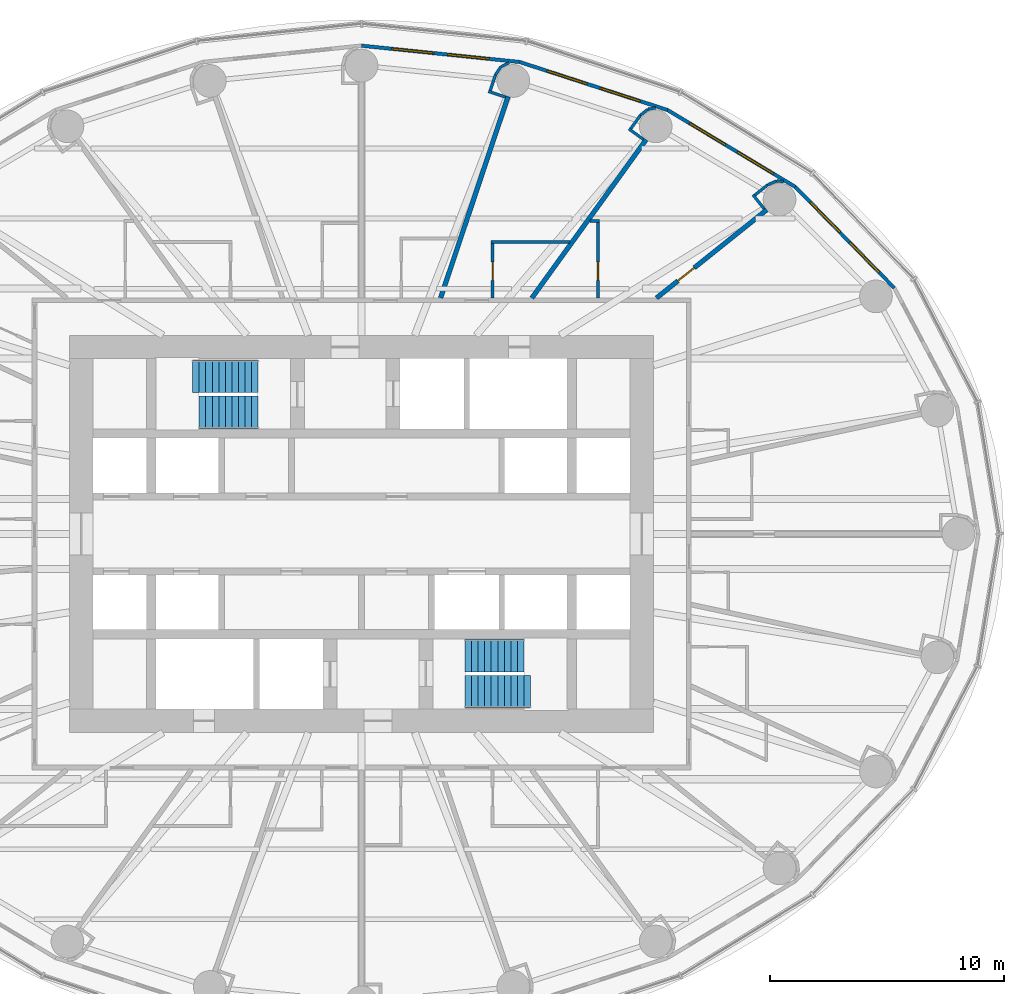
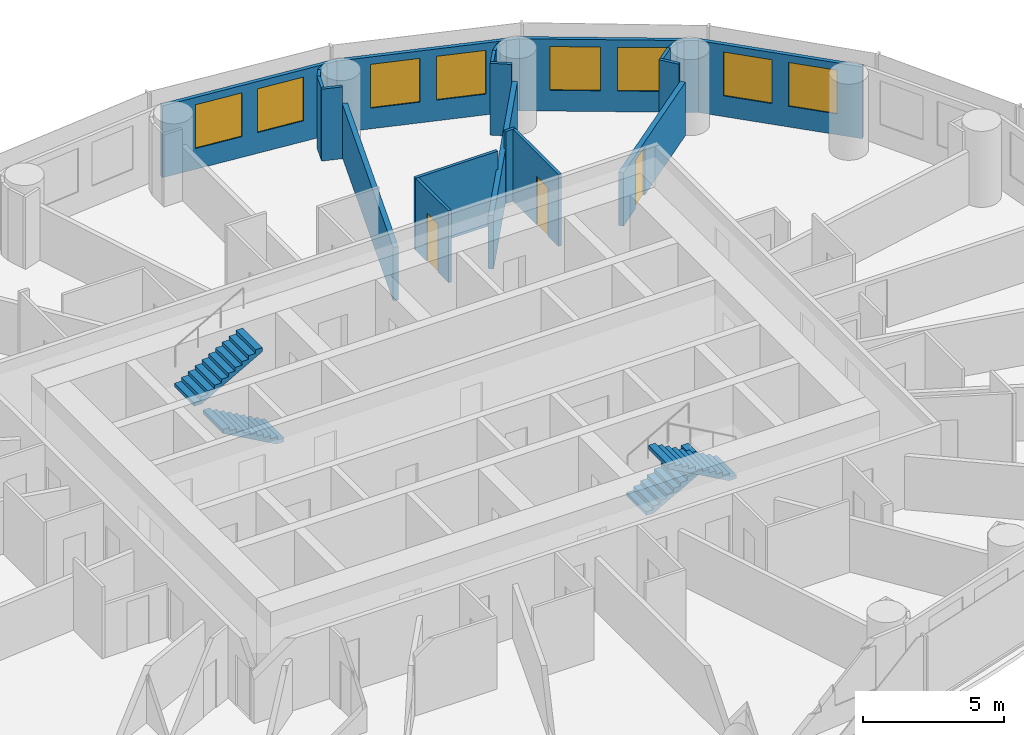
# One storey, part 13 of 14: 23 walls, 8 windows, 4 stair flights, 3 doors, 11 openings, 2 elements without a shape of their own.
"""IFC4 building model written with IfcOpenShell, lengths in metres."""

from ifc_helpers import new_model, si_unit, direction, frame, frame_2d, origin, place, context, subcontext, project, spatial, polyline, rectangle, outline, extrude, material, layer, layer_set, type_object, element, fill, aggregate, save


model = new_model("IFC4")

# Units and contexts
model_context = context("Model", 3, precision=1e-05, world=origin(), true_north=direction((0.0, 1.0)))
body_context = subcontext(model_context, "Body", "Model", "MODEL_VIEW")
ifc_project = project(units=[si_unit("LENGTHUNIT", "METRE"), si_unit("AREAUNIT", "SQUARE_METRE"), si_unit("VOLUMEUNIT", "CUBIC_METRE"), si_unit("PLANEANGLEUNIT", "RADIAN"), si_unit("MASSUNIT", "GRAM", prefix="KILO")], contexts=[model_context])

# Site, building, storey
site_placement = place(None, origin())
site = spatial("IfcSite", under=ifc_project, at=site_placement, CompositionType="ELEMENT")
building_placement = place(site_placement, origin())
building = spatial("IfcBuilding", under=site, at=building_placement, Name="Hankou Lantern Tower", CompositionType="ELEMENT")
storey_placement = place(building_placement, frame((0.0, 0.0, 60.60009765625)))
storey = spatial("IfcBuildingStorey", under=building, at=storey_placement, Name="L14", CompositionType="ELEMENT", Elevation=60.60009765625)

# Wall, openings, windows
ifc_material_1 = material(Name="Aluminium spandrel panel on steel studs", Category="steel")
ifc_layer_1 = layer(ifc_material_1, 0.14990234375)
ifc_layer_set_1 = layer_set([ifc_layer_1], Name="Aluminium spandrel panel on steel studs")
wall_type_1 = type_object("IfcWallType", Name="EW1 INNER SKIN WALL 150", PredefinedType="ELEMENTEDWALL", material=ifc_layer_set_1)
wall_1_placement = place(storey_placement, frame((22.802734375, 10.5322265625, 0.0), z_axis=(0.0, 0.0, 1.0), x_axis=(-0.699602905915, 0.714531856557, 0.0)))
wall_1 = element("IfcWall", 1, at=wall_1_placement, inside=storey, type_object=wall_type_1, Name="Inner skin R03-R04 L14", PredefinedType="ELEMENTEDWALL", context=body_context, shape_type="SweptSolid", body=[
    extrude(rectangle(XDim=6.05078125, YDim=0.14990234375, at=frame_2d((3.025390625, 0.0))), origin(), (0.0, 0.0, 1.0), 3.119873046875),
])
opening_1_placement = place(wall_1_placement, frame((0.925537109375, 0.0, 0.89990234375)))
opening_1 = element("IfcOpeningElement", 2, at=opening_1_placement, cuts=wall_1, Name="Opening W1", PredefinedType="OPENING", context=body_context, shape_type="SweptSolid", body=[
    extrude(rectangle(XDim=1.800048828125, YDim=1.89990234375, at=frame_2d((0.89990234375, 0.949951171875))), frame((0.0, 0.0849609375, 0.0), z_axis=(0.0, -1.0, 0.0), x_axis=(1.0, 0.0, 0.0)), (0.0, 0.0, 1.0), 0.169921875),
])
opening_2_placement = place(wall_1_placement, frame((3.325439453125, 0.0, 0.89990234375)))
opening_2 = element("IfcOpeningElement", 3, at=opening_2_placement, cuts=wall_1, Name="Opening W1", PredefinedType="OPENING", context=body_context, shape_type="SweptSolid", body=[
    extrude(rectangle(XDim=1.800048828125, YDim=1.89990234375, at=frame_2d((0.89990234375, 0.949951171875))), frame((0.0, 0.0849609375, 0.0), z_axis=(0.0, -1.0, 0.0), x_axis=(1.0, 0.0, 0.0)), (0.0, 0.0, 1.0), 0.169921875),
])
ifc_material_2 = material(Name="Aluminium framed double glazed window", Category="aluminium")
window_type = type_object("IfcWindowType", Name="W1 GUEST ROOM WINDOW 1800X1900", PartitioningType="DOUBLE_PANEL_VERTICAL", PredefinedType="WINDOW", material=ifc_material_2)
window_1_placement = place(opening_1_placement, origin())
window_1 = element("IfcWindow", 4, at=window_1_placement, inside=storey, type_object=window_type, Name="Window R03.1 L14", OverallHeight=1.89990234375, OverallWidth=1.800048828125, PartitioningType="SINGLE_PANEL", PredefinedType="WINDOW", context=body_context, shape_type="SweptSolid", body=[
    extrude(rectangle(XDim=1.800048828125, YDim=1.89990234375, at=frame_2d((0.89990234375, 0.949951171875))), frame((0.0, 0.030029296875, 0.0), z_axis=(0.0, -1.0, 0.0), x_axis=(1.0, 0.0, 0.0)), (0.0, 0.0, 1.0), 0.06005859375),
])
fill(opening_1, window_1)
window_2_placement = place(opening_2_placement, origin())
window_2 = element("IfcWindow", 5, at=window_2_placement, inside=storey, type_object=window_type, Name="Window R03.2 L14", OverallHeight=1.89990234375, OverallWidth=1.800048828125, PartitioningType="SINGLE_PANEL", PredefinedType="WINDOW", context=body_context, shape_type="SweptSolid", body=[
    extrude(rectangle(XDim=1.800048828125, YDim=1.89990234375, at=frame_2d((0.89990234375, 0.949951171875))), frame((0.0, 0.030029296875, 0.0), z_axis=(0.0, -1.0, 0.0), x_axis=(1.0, 0.0, 0.0)), (0.0, 0.0, 1.0), 0.06005859375),
])
fill(opening_2, window_2)

wall_2_placement = place(storey_placement, frame((18.569580078125, 14.855712890625, 0.0), z_axis=(0.0, 0.0, 1.0), x_axis=(-0.856983180864, 0.515344377787, 0.0)))
wall_2 = element("IfcWall", 6, at=wall_2_placement, inside=storey, type_object=wall_type_1, Name="Inner skin R04-R05 L14", PredefinedType="ELEMENTEDWALL", context=body_context, shape_type="SweptSolid", body=[
    extrude(rectangle(XDim=6.386474609375, YDim=0.14990234375, at=frame_2d((3.193359375, 0.0))), origin(), (0.0, 0.0, 1.0), 3.119873046875),
])
opening_3_placement = place(wall_2_placement, frame((1.09326171875, 0.0, 0.89990234375)))
opening_3 = element("IfcOpeningElement", 7, at=opening_3_placement, cuts=wall_2, Name="Opening W1", PredefinedType="OPENING", context=body_context, shape_type="SweptSolid", body=[
    extrude(rectangle(XDim=1.800048828125, YDim=1.89990234375, at=frame_2d((0.89990234375, 0.949951171875))), frame((0.0, 0.0849609375, 0.0), z_axis=(0.0, -1.0, 0.0), x_axis=(1.0, 0.0, 0.0)), (0.0, 0.0, 1.0), 0.169921875),
])
opening_4_placement = place(wall_2_placement, frame((3.4931640625, 0.0, 0.89990234375)))
opening_4 = element("IfcOpeningElement", 8, at=opening_4_placement, cuts=wall_2, Name="Opening W1", PredefinedType="OPENING", context=body_context, shape_type="SweptSolid", body=[
    extrude(rectangle(XDim=1.800048828125, YDim=1.89990234375, at=frame_2d((0.89990234375, 0.949951171875))), frame((0.0, 0.0849609375, 0.0), z_axis=(0.0, -1.0, 0.0), x_axis=(1.0, 0.0, 0.0)), (0.0, 0.0, 1.0), 0.169921875),
])
window_3_placement = place(opening_3_placement, origin())
window_3 = element("IfcWindow", 9, at=window_3_placement, inside=storey, type_object=window_type, Name="Window R04.1 L14", OverallHeight=1.89990234375, OverallWidth=1.800048828125, PartitioningType="SINGLE_PANEL", PredefinedType="WINDOW", context=body_context, shape_type="SweptSolid", body=[
    extrude(rectangle(XDim=1.800048828125, YDim=1.89990234375, at=frame_2d((0.89990234375, 0.949951171875))), frame((0.0, 0.030029296875, 0.0), z_axis=(0.0, -1.0, 0.0), x_axis=(1.0, 0.0, 0.0)), (0.0, 0.0, 1.0), 0.06005859375),
])
fill(opening_3, window_3)
window_4_placement = place(opening_4_placement, origin())
window_4 = element("IfcWindow", 10, at=window_4_placement, inside=storey, type_object=window_type, Name="Window R04.2 L14", OverallHeight=1.89990234375, OverallWidth=1.800048828125, PartitioningType="SINGLE_PANEL", PredefinedType="WINDOW", context=body_context, shape_type="SweptSolid", body=[
    extrude(rectangle(XDim=1.800048828125, YDim=1.89990234375, at=frame_2d((0.89990234375, 0.949951171875))), frame((0.0, 0.030029296875, 0.0), z_axis=(0.0, -1.0, 0.0), x_axis=(1.0, 0.0, 0.0)), (0.0, 0.0, 1.0), 0.06005859375),
])
fill(opening_4, window_4)

wall_3_placement = place(storey_placement, frame((13.096435546875, 18.14697265625, 0.0), z_axis=(0.0, 0.0, 1.0), x_axis=(-0.951137534625, 0.308767534285, 0.0)))
wall_3 = element("IfcWall", 11, at=wall_3_placement, inside=storey, type_object=wall_type_1, Name="Inner skin R05-R06 L14", PredefinedType="ELEMENTEDWALL", context=body_context, shape_type="SweptSolid", body=[
    extrude(rectangle(XDim=6.6552734375, YDim=0.14990234375, at=frame_2d((3.32763671875, 0.0))), origin(), (0.0, 0.0, 1.0), 3.119873046875),
])
opening_5_placement = place(wall_3_placement, frame((1.2275390625, 0.0, 0.89990234375)))
opening_5 = element("IfcOpeningElement", 12, at=opening_5_placement, cuts=wall_3, Name="Opening W1", PredefinedType="OPENING", context=body_context, shape_type="SweptSolid", body=[
    extrude(rectangle(XDim=1.800048828125, YDim=1.89990234375, at=frame_2d((0.89990234375, 0.949951171875))), frame((0.0, 0.0849609375, 0.0), z_axis=(0.0, -1.0, 0.0), x_axis=(1.0, 0.0, 0.0)), (0.0, 0.0, 1.0), 0.169921875),
])
opening_6_placement = place(wall_3_placement, frame((3.627685546875, 0.0, 0.89990234375)))
opening_6 = element("IfcOpeningElement", 13, at=opening_6_placement, cuts=wall_3, Name="Opening W1", PredefinedType="OPENING", context=body_context, shape_type="SweptSolid", body=[
    extrude(rectangle(XDim=1.800048828125, YDim=1.89990234375, at=frame_2d((0.89990234375, 0.949951171875))), frame((0.0, 0.0849609375, 0.0), z_axis=(0.0, -1.0, 0.0), x_axis=(1.0, 0.0, 0.0)), (0.0, 0.0, 1.0), 0.169921875),
])
window_5_placement = place(opening_5_placement, origin())
window_5 = element("IfcWindow", 14, at=window_5_placement, inside=storey, type_object=window_type, Name="Window R05.1 L14", OverallHeight=1.89990234375, OverallWidth=1.800048828125, PartitioningType="SINGLE_PANEL", PredefinedType="WINDOW", context=body_context, shape_type="SweptSolid", body=[
    extrude(rectangle(XDim=1.800048828125, YDim=1.89990234375, at=frame_2d((0.89990234375, 0.949951171875))), frame((0.0, 0.030029296875, 0.0), z_axis=(0.0, -1.0, 0.0), x_axis=(1.0, 0.0, 0.0)), (0.0, 0.0, 1.0), 0.06005859375),
])
fill(opening_5, window_5)
window_6_placement = place(opening_6_placement, origin())
window_6 = element("IfcWindow", 15, at=window_6_placement, inside=storey, type_object=window_type, Name="Window R05.2 L14", OverallHeight=1.89990234375, OverallWidth=1.800048828125, PartitioningType="SINGLE_PANEL", PredefinedType="WINDOW", context=body_context, shape_type="SweptSolid", body=[
    extrude(rectangle(XDim=1.800048828125, YDim=1.89990234375, at=frame_2d((0.89990234375, 0.949951171875))), frame((0.0, 0.030029296875, 0.0), z_axis=(0.0, -1.0, 0.0), x_axis=(1.0, 0.0, 0.0)), (0.0, 0.0, 1.0), 0.06005859375),
])
fill(opening_6, window_6)

wall_4_placement = place(storey_placement, frame((6.766357421875, 20.201904296875, 0.0), z_axis=(0.0, 0.0, 1.0), x_axis=(-0.994721394369, 0.102612609291, 0.0)))
wall_4 = element("IfcWall", 16, at=wall_4_placement, inside=storey, type_object=wall_type_1, Name="Inner skin R06-R07 L14", PredefinedType="ELEMENTEDWALL", context=body_context, shape_type="SweptSolid", body=[
    extrude(rectangle(XDim=6.80224609375, YDim=0.14990234375, at=frame_2d((3.401123046875, 0.0))), origin(), (0.0, 0.0, 1.0), 3.119873046875),
])
opening_7_placement = place(wall_4_placement, frame((1.301025390625, 0.0, 0.89990234375)))
opening_7 = element("IfcOpeningElement", 17, at=opening_7_placement, cuts=wall_4, Name="Opening W1", PredefinedType="OPENING", context=body_context, shape_type="SweptSolid", body=[
    extrude(rectangle(XDim=1.800048828125, YDim=1.89990234375, at=frame_2d((0.89990234375, 0.949951171875))), frame((0.0, 0.0849609375, 0.0), z_axis=(0.0, -1.0, 0.0), x_axis=(1.0, 0.0, 0.0)), (0.0, 0.0, 1.0), 0.169921875),
])
opening_8_placement = place(wall_4_placement, frame((3.701171875, 0.0, 0.89990234375)))
opening_8 = element("IfcOpeningElement", 18, at=opening_8_placement, cuts=wall_4, Name="Opening W1", PredefinedType="OPENING", context=body_context, shape_type="SweptSolid", body=[
    extrude(rectangle(XDim=1.800048828125, YDim=1.89990234375, at=frame_2d((0.89990234375, 0.949951171875))), frame((0.0, 0.0849609375, 0.0), z_axis=(0.0, -1.0, 0.0), x_axis=(1.0, 0.0, 0.0)), (0.0, 0.0, 1.0), 0.169921875),
])
window_7_placement = place(opening_7_placement, origin())
window_7 = element("IfcWindow", 19, at=window_7_placement, inside=storey, type_object=window_type, Name="Window R06.1 L14", OverallHeight=1.89990234375, OverallWidth=1.800048828125, PartitioningType="SINGLE_PANEL", PredefinedType="WINDOW", context=body_context, shape_type="SweptSolid", body=[
    extrude(rectangle(XDim=1.800048828125, YDim=1.89990234375, at=frame_2d((0.89990234375, 0.949951171875))), frame((0.0, 0.030029296875, 0.0), z_axis=(0.0, -1.0, 0.0), x_axis=(1.0, 0.0, 0.0)), (0.0, 0.0, 1.0), 0.06005859375),
])
fill(opening_7, window_7)
window_8_placement = place(opening_8_placement, origin())
window_8 = element("IfcWindow", 20, at=window_8_placement, inside=storey, type_object=window_type, Name="Window R06.2 L14", OverallHeight=1.89990234375, OverallWidth=1.800048828125, PartitioningType="SINGLE_PANEL", PredefinedType="WINDOW", context=body_context, shape_type="SweptSolid", body=[
    extrude(rectangle(XDim=1.800048828125, YDim=1.89990234375, at=frame_2d((0.89990234375, 0.949951171875))), frame((0.0, 0.030029296875, 0.0), z_axis=(0.0, -1.0, 0.0), x_axis=(1.0, 0.0, 0.0)), (0.0, 0.0, 1.0), 0.06005859375),
])
fill(opening_8, window_8)

# Walls
ifc_material_3 = material(Name="Masonry lightweight concrete block", Category="masonry")
ifc_layer_2 = layer(ifc_material_3, 0.199951171875)
ifc_layer_set_2 = layer_set([ifc_layer_2], Name="Masonry lightweight concrete block")
wall_type_2 = type_object("IfcWallType", Name="IW1 GUEST ROOM PARTY WALL 200", PredefinedType="PARTITIONING", material=ifc_layer_set_2)
wall_5_placement = place(storey_placement, frame((7.2890625, 10.10009765625, 0.0), z_axis=(0.0, 0.0, 1.0), x_axis=(0.585198353053, 0.810890182197, 0.0)))
element("IfcWall", 21, at=wall_5_placement, inside=storey, type_object=wall_type_2, Name="Party wall R05", PredefinedType="PARTITIONING", context=body_context, shape_type="SweptSolid", body=[
    extrude(rectangle(XDim=8.359619140625, YDim=0.199951171875, at=frame_2d((4.1796875, 0.0))), origin(), (0.0, 0.0, 1.0), 2.31982421875),
])
wall_6_placement = place(storey_placement, frame((3.3828125, 10.10009765625, 0.0), z_axis=(0.0, 0.0, 1.0), x_axis=(0.31759592231, 0.948226149256, 0.0)))
element("IfcWall", 22, at=wall_6_placement, inside=storey, type_object=wall_type_2, Name="Party wall R06", PredefinedType="PARTITIONING", context=body_context, shape_type="SweptSolid", body=[
    extrude(rectangle(XDim=9.098388671875, YDim=0.199951171875, at=frame_2d((4.54931640625, 0.0))), origin(), (0.0, 0.0, 1.0), 2.31982421875),
])
ifc_material_4 = material(Name="Masonry lightweight concrete block", Category="masonry")
ifc_layer_3 = layer(ifc_material_4, 0.1201171875)
ifc_layer_set_3 = layer_set([ifc_layer_3], Name="Masonry lightweight concrete block")
wall_type_3 = type_object("IfcWallType", Name="IW3 BATHROOM WALL 120", PredefinedType="PARTITIONING", material=ifc_layer_set_3)
wall_7_placement = place(storey_placement, frame((9.7705078125, 13.39990234375, 0.0), z_axis=(0.0, 0.0, 1.0), x_axis=(1.0, 0.0, 0.0)))
element("IfcWall", 23, at=wall_7_placement, inside=storey, type_object=wall_type_3, Name="Box wall 1404A 1", PredefinedType="PARTITIONING", context=body_context, shape_type="SweptSolid", body=[
    extrude(rectangle(XDim=0.408447265625, YDim=0.1201171875, at=frame_2d((0.2041015625, 0.0))), origin(), (0.0, 0.0, 1.0), 3.119873046875),
])

# Wall, opening, door
wall_8_placement = place(storey_placement, frame((10.119140625, 10.10009765625, 0.0), z_axis=(0.0, 0.0, 1.0), x_axis=(0.0, 1.0, 0.0)))
wall_8 = element("IfcWall", 24, at=wall_8_placement, inside=storey, type_object=wall_type_3, Name="Box wall 1404A 1", PredefinedType="PARTITIONING", context=body_context, shape_type="SweptSolid", body=[
    extrude(rectangle(XDim=3.239990234375, YDim=0.1201171875, at=frame_2d((1.6201171875, 0.0))), origin(), (0.0, 0.0, 1.0), 3.119873046875),
])
opening_9_placement = place(wall_8_placement, frame((0.75, 0.0, 0.0)))
opening_9 = element("IfcOpeningElement", 25, at=opening_9_placement, cuts=wall_8, Name="Opening D3", PredefinedType="OPENING", context=body_context, shape_type="SweptSolid", body=[
    extrude(rectangle(XDim=0.800048828125, YDim=2.10009765625, at=frame_2d((0.39990234375, 1.050048828125))), frame((0.0, 0.070068359375, 0.0), z_axis=(0.0, -1.0, 0.0), x_axis=(1.0, 0.0, 0.0)), (0.0, 0.0, 1.0), 0.14013671875),
])
ifc_material_5 = material(Name="Timber door leaf", Category="wood")
door_type_1 = type_object("IfcDoorType", Name="D3 BATHROOM DOOR 800X2100", OperationType="SINGLE_SWING_LEFT", PredefinedType="DOOR", material=ifc_material_5)
door_1_placement = place(opening_9_placement, origin())
door_1 = element("IfcDoor", 26, at=door_1_placement, inside=storey, type_object=door_type_1, Name="Corner suite 1404 bathroom door", OperationType="SINGLE_SWING_LEFT", OverallHeight=2.10009765625, OverallWidth=0.800048828125, PredefinedType="DOOR", context=body_context, shape_type="SweptSolid", body=[
    extrude(rectangle(XDim=0.800048828125, YDim=2.10009765625, at=frame_2d((0.39990234375, 1.050048828125))), frame((0.0, 0.02490234375, 0.0), z_axis=(0.0, -1.0, 0.0), x_axis=(1.0, 0.0, 0.0)), (0.0, 0.0, 1.0), 0.050048828125),
])
fill(opening_9, door_1)

# Wall
wall_9_placement = place(storey_placement, frame((8.921142578125, 12.5, 0.0), z_axis=(0.0, 0.0, 1.0), x_axis=(-1.0, 0.0, 0.0)))
element("IfcWall", 27, at=wall_9_placement, inside=storey, type_object=wall_type_3, Name="Box wall 1405 1", PredefinedType="PARTITIONING", context=body_context, shape_type="SweptSolid", body=[
    extrude(rectangle(XDim=3.3720703125, YDim=0.1201171875, at=frame_2d((1.68603515625, 0.0))), origin(), (0.0, 0.0, 1.0), 3.119873046875),
])

# Wall, opening, door
wall_10_placement = place(storey_placement, frame((5.609130859375, 10.10009765625, 0.0), z_axis=(0.0, 0.0, 1.0), x_axis=(0.0, 1.0, 0.0)))
wall_10 = element("IfcWall", 28, at=wall_10_placement, inside=storey, type_object=wall_type_3, Name="Box wall 1405 1", PredefinedType="PARTITIONING", context=body_context, shape_type="SweptSolid", body=[
    extrude(rectangle(XDim=2.33984375, YDim=0.1201171875, at=frame_2d((1.169921875, 0.0))), origin(), (0.0, 0.0, 1.0), 3.119873046875),
])
opening_10_placement = place(wall_10_placement, frame((0.75, 0.0, 0.0)))
opening_10 = element("IfcOpeningElement", 29, at=opening_10_placement, cuts=wall_10, Name="Opening D3", PredefinedType="OPENING", context=body_context, shape_type="SweptSolid", body=[
    extrude(rectangle(XDim=0.800048828125, YDim=2.10009765625, at=frame_2d((0.39990234375, 1.050048828125))), frame((0.0, 0.070068359375, 0.0), z_axis=(0.0, -1.0, 0.0), x_axis=(1.0, 0.0, 0.0)), (0.0, 0.0, 1.0), 0.14013671875),
])
door_2_placement = place(opening_10_placement, origin())
door_2 = element("IfcDoor", 30, at=door_2_placement, inside=storey, type_object=door_type_1, Name="En-suite bathroom 1405 door", OperationType="SINGLE_SWING_LEFT", OverallHeight=2.10009765625, OverallWidth=0.800048828125, PredefinedType="DOOR", context=body_context, shape_type="SweptSolid", body=[
    extrude(rectangle(XDim=0.800048828125, YDim=2.10009765625, at=frame_2d((0.39990234375, 1.050048828125))), frame((0.0, 0.02490234375, 0.0), z_axis=(0.0, -1.0, 0.0), x_axis=(1.0, 0.0, 0.0)), (0.0, 0.0, 1.0), 0.050048828125),
])
fill(opening_10, door_2)

# Walls
ifc_material_6 = material(Name="Masonry lightweight concrete block", Category="masonry")
ifc_layer_4 = layer(ifc_material_6, 0.1201171875)
ifc_layer_set_4 = layer_set([ifc_layer_4], Name="Masonry lightweight concrete block")
wall_type_4 = type_object("IfcWallType", Name="IW4 PARTITION 120", PredefinedType="PARTITIONING", material=ifc_layer_set_4)
wall_11_placement = place(storey_placement, frame((17.23583984375, 13.916748046875, 0.0), z_axis=(0.0, 0.0, 1.0), x_axis=(-0.624695047554, 0.780868809443, 0.0)))
element("IfcWall", 31, at=wall_11_placement, inside=storey, type_object=wall_type_4, Name="Column casing R04 return", PredefinedType="PARTITIONING", context=body_context, shape_type="SweptSolid", body=[
    extrude(rectangle(XDim=0.767578125, YDim=0.1201171875, at=frame_2d((0.3837890625, 0.0))), origin(), (0.0, 0.0, 1.0), 3.119873046875),
])
wall_12_placement = place(storey_placement, frame((16.840576171875, 14.506591796875, 0.0), z_axis=(0.0, 0.0, 1.0), x_axis=(0.780902834923, 0.62465251333, 0.0)))
element("IfcWall", 32, at=wall_12_placement, inside=storey, type_object=wall_type_4, Name="Column casing R04", PredefinedType="PARTITIONING", context=body_context, shape_type="SweptSolid", body=[
    extrude(rectangle(XDim=0.699951171875, YDim=0.1201171875, at=frame_2d((0.35009765625, 0.0))), origin(), (0.0, 0.0, 1.0), 3.119873046875),
])
wall_13_placement = place(storey_placement, frame((17.38720703125, 14.94384765625, 0.0), z_axis=(0.0, 0.0, 1.0), x_axis=(0.916036698064, 0.401094462441, 0.0)))
element("IfcWall", 33, at=wall_13_placement, inside=storey, type_object=wall_type_4, Name="Column casing R04", PredefinedType="PARTITIONING", context=body_context, shape_type="SweptSolid", body=[
    extrude(rectangle(XDim=0.418212890625, YDim=0.1201171875, at=frame_2d((0.208984375, 0.0))), origin(), (0.0, 0.0, 1.0), 3.119873046875),
])
wall_14_placement = place(storey_placement, frame((17.770263671875, 15.111572265625, 0.0), z_axis=(0.0, 0.0, 1.0), x_axis=(0.993904401174, -0.110245368731, 0.0)))
element("IfcWall", 34, at=wall_14_placement, inside=storey, type_object=wall_type_4, Name="Column casing R04", PredefinedType="PARTITIONING", context=body_context, shape_type="SweptSolid", body=[
    extrude(rectangle(XDim=0.287841796875, YDim=0.1201171875, at=frame_2d((0.14404296875, 0.0))), origin(), (0.0, 0.0, 1.0), 3.119873046875),
])
wall_15_placement = place(storey_placement, frame((12.06494140625, 16.888671875, 0.0), z_axis=(0.0, 0.0, 1.0), x_axis=(-0.810821798253, 0.585293098778, 0.0)))
element("IfcWall", 35, at=wall_15_placement, inside=storey, type_object=wall_type_4, Name="Column casing R05 return", PredefinedType="PARTITIONING", context=body_context, shape_type="SweptSolid", body=[
    extrude(rectangle(XDim=0.767578125, YDim=0.1201171875, at=frame_2d((0.3837890625, 0.0))), origin(), (0.0, 0.0, 1.0), 3.119873046875),
])
wall_16_placement = place(storey_placement, frame((11.5263671875, 17.351318359375, 0.0), z_axis=(0.0, 0.0, 1.0), x_axis=(0.585223113993, 0.810872312296, 0.0)))
element("IfcWall", 36, at=wall_16_placement, inside=storey, type_object=wall_type_4, Name="Column casing R05", PredefinedType="PARTITIONING", context=body_context, shape_type="SweptSolid", body=[
    extrude(rectangle(XDim=0.699951171875, YDim=0.1201171875, at=frame_2d((0.35009765625, 0.0))), origin(), (0.0, 0.0, 1.0), 3.119873046875),
])
wall_17_placement = place(storey_placement, frame((11.93603515625, 17.9189453125, 0.0), z_axis=(0.0, 0.0, 1.0), x_axis=(0.775023088441, 0.631932917629, 0.0)))
element("IfcWall", 37, at=wall_17_placement, inside=storey, type_object=wall_type_4, Name="Column casing R05", PredefinedType="PARTITIONING", context=body_context, shape_type="SweptSolid", body=[
    extrude(rectangle(XDim=0.41796875, YDim=0.1201171875, at=frame_2d((0.208984375, 0.0))), origin(), (0.0, 0.0, 1.0), 3.119873046875),
])
wall_18_placement = place(storey_placement, frame((12.260009765625, 18.18310546875, 0.0), z_axis=(0.0, 0.0, 1.0), x_axis=(0.987218661664, 0.159371622511, 0.0)))
element("IfcWall", 38, at=wall_18_placement, inside=storey, type_object=wall_type_4, Name="Column casing R05", PredefinedType="PARTITIONING", context=body_context, shape_type="SweptSolid", body=[
    extrude(rectangle(XDim=0.330810546875, YDim=0.1201171875, at=frame_2d((0.16552734375, 0.0))), origin(), (0.0, 0.0, 1.0), 3.119873046875),
])
wall_19_placement = place(storey_placement, frame((6.15869140625, 18.702392578125, 0.0), z_axis=(0.0, 0.0, 1.0), x_axis=(-0.948173154049, 0.31775410295, 0.0)))
element("IfcWall", 39, at=wall_19_placement, inside=storey, type_object=wall_type_4, Name="Column casing R06 return", PredefinedType="PARTITIONING", context=body_context, shape_type="SweptSolid", body=[
    extrude(rectangle(XDim=0.767578125, YDim=0.1201171875, at=frame_2d((0.3837890625, 0.0))), origin(), (0.0, 0.0, 1.0), 3.119873046875),
])
wall_20_placement = place(storey_placement, frame((5.5068359375, 18.984130859375, 0.0), z_axis=(0.0, 0.0, 1.0), x_axis=(0.317692050622, 0.948193946918, 0.0)))
element("IfcWall", 40, at=wall_20_placement, inside=storey, type_object=wall_type_4, Name="Column casing R06", PredefinedType="PARTITIONING", context=body_context, shape_type="SweptSolid", body=[
    extrude(rectangle(XDim=0.7001953125, YDim=0.1201171875, at=frame_2d((0.35009765625, 0.0))), origin(), (0.0, 0.0, 1.0), 3.119873046875),
])
wall_21_placement = place(storey_placement, frame((5.729248046875, 19.64794921875, 0.0), z_axis=(0.0, 0.0, 1.0), x_axis=(0.552135764955, 0.833754218615, 0.0)))
element("IfcWall", 41, at=wall_21_placement, inside=storey, type_object=wall_type_4, Name="Column casing R06", PredefinedType="PARTITIONING", context=body_context, shape_type="SweptSolid", body=[
    extrude(rectangle(XDim=0.41796875, YDim=0.1201171875, at=frame_2d((0.208984375, 0.0))), origin(), (0.0, 0.0, 1.0), 3.119873046875),
])
wall_22_placement = place(storey_placement, frame((5.9599609375, 19.996337890625, 0.0), z_axis=(0.0, 0.0, 1.0), x_axis=(0.895160725913, 0.445743507842, 0.0)))
element("IfcWall", 42, at=wall_22_placement, inside=storey, type_object=wall_type_4, Name="Column casing R06", PredefinedType="PARTITIONING", context=body_context, shape_type="SweptSolid", body=[
    extrude(rectangle(XDim=0.398681640625, YDim=0.1201171875, at=frame_2d((0.19921875, 0.0))), origin(), (0.0, 0.0, 1.0), 3.119873046875),
])

# Wall, opening, door
ifc_material_7 = material(Name="Masonry lightweight concrete block", Category="masonry")
ifc_layer_5 = layer(ifc_material_7, 0.199951171875)
ifc_layer_set_5 = layer_set([ifc_layer_5], Name="Masonry lightweight concrete block")
wall_type_5 = type_object("IfcWallType", Name="IW6 SUITE PARTITION 200", PredefinedType="PARTITIONING", material=ifc_layer_set_5)
wall_23_placement = place(storey_placement, frame((12.625, 10.10009765625, 0.0), z_axis=(0.0, 0.0, 1.0), x_axis=(0.780892451574, 0.624665493744, 0.0)))
wall_23 = element("IfcWall", 43, at=wall_23_placement, inside=storey, type_object=wall_type_5, Name="Suite partition R04", PredefinedType="PARTITIONING", context=body_context, shape_type="SweptSolid", body=[
    extrude(rectangle(XDim=6.044677734375, YDim=0.199951171875, at=frame_2d((3.0224609375, 0.0))), origin(), (0.0, 0.0, 1.0), 2.31982421875),
])
opening_11_placement = place(wall_23_placement, frame((1.169921875, 0.0, 0.0)))
opening_11 = element("IfcOpeningElement", 44, at=opening_11_placement, cuts=wall_23, Name="Opening D27", PredefinedType="OPENING", context=body_context, shape_type="SweptSolid", body=[
    extrude(rectangle(XDim=0.89990234375, YDim=2.10009765625, at=frame_2d((0.449951171875, 1.050048828125))), frame((0.0, 0.10986328125, 0.0), z_axis=(0.0, -1.0, 0.0), x_axis=(1.0, 0.0, 0.0)), (0.0, 0.0, 1.0), 0.219970703125),
])
ifc_material_8 = material(Name="Timber door leaf", Category="wood")
door_type_2 = type_object("IfcDoorType", Name="D27 INTERNAL DOOR 900X2100", OperationType="SINGLE_SWING_LEFT", PredefinedType="DOOR", material=ifc_material_8)
door_3_placement = place(opening_11_placement, origin())
door_3 = element("IfcDoor", 45, at=door_3_placement, inside=storey, type_object=door_type_2, Name="Corner suite 1404 bedroom door", OperationType="SINGLE_SWING_RIGHT", OverallHeight=2.10009765625, OverallWidth=0.89990234375, PredefinedType="DOOR", context=body_context, shape_type="SweptSolid", body=[
    extrude(rectangle(XDim=0.89990234375, YDim=2.10009765625, at=frame_2d((0.449951171875, 1.050048828125))), frame((0.0, 0.02490234375, 0.0), z_axis=(0.0, -1.0, 0.0), x_axis=(1.0, 0.0, 0.0)), (0.0, 0.0, 1.0), 0.050048828125),
])
fill(opening_11, door_3)

# Stair, stair flight
ifc_material_9 = material(Name="Concrete C40", Category="concrete")
stair_type = type_object("IfcStairType", Name="ST33 CORE STAIR 3300 RISE", PredefinedType="HALF_TURN_STAIR", material=ifc_material_9)
stair_1_placement = place(storey_placement, origin())
stair_1 = element("IfcStair", 46, at=stair_1_placement, inside=storey, type_object=stair_type, Name="Stair STA L14", PredefinedType="HALF_TURN_STAIR")
ifc_material_10 = material(Name="Concrete C40", Category="concrete")
stair_flight_type_1 = type_object("IfcStairFlightType", Name="CF10 CORE STAIR FLIGHT 1400 X 10 RISERS", PredefinedType="STRAIGHT", material=ifc_material_10)
stair_flight_1_placement = place(storey_placement, frame((-4.429931640625, 5.199951171875, 0.0), z_axis=(0.0, 0.0, 1.0), x_axis=(-1.0, 0.0, 0.0)))
stair_flight_1 = element("IfcStairFlight", 47, at=stair_flight_1_placement, type_object=stair_flight_type_1, Name="STA flight 1", NumberOfRisers=10, NumberOfTreads=9, PredefinedType="STRAIGHT", RiserHeight=0.157142857, TreadLength=0.28, context=body_context, shape_type="SweptSolid", body=[
    extrude(outline(polyline([(0.0, 0.0), (0.0, 0.1572265625), (0.280029296875, 0.1572265625), (0.280029296875, 0.314208984375), (0.56005859375, 0.314208984375), (0.56005859375, 0.471435546875), (0.840087890625, 0.471435546875), (0.840087890625, 0.628662109375), (1.1201171875, 0.628662109375), (1.1201171875, 0.78564453125), (1.39990234375, 0.78564453125), (1.39990234375, 0.94287109375), (1.679931640625, 0.94287109375), (1.679931640625, 1.10009765625), (1.9599609375, 1.10009765625), (1.9599609375, 1.257080078125), (2.239990234375, 1.257080078125), (2.239990234375, 1.414306640625), (2.52001953125, 1.414306640625), (2.52001953125, 1.571533203125), (2.52001953125, 1.242431640625), (0.306396484375, 0.0), (0.0, 0.0)])), frame((0.0, 0.699951171875, 0.0), z_axis=(0.0, -1.0, 0.0), x_axis=(1.0, 0.0, 0.0)), (0.0, 0.0, 1.0), 1.39990234375),
])

stair_2_placement = place(storey_placement, origin())
stair_2 = element("IfcStair", 48, at=stair_2_placement, inside=storey, type_object=stair_type, Name="Stair STB L14", PredefinedType="HALF_TURN_STAIR")
stair_flight_2_placement = place(storey_placement, frame((4.429931640625, -5.199951171875, 0.0), z_axis=(0.0, 0.0, 1.0), x_axis=(1.0, 0.0, 0.0)))
stair_flight_2 = element("IfcStairFlight", 49, at=stair_flight_2_placement, type_object=stair_flight_type_1, Name="STB flight 1", NumberOfRisers=10, NumberOfTreads=9, PredefinedType="STRAIGHT", RiserHeight=0.157142857, TreadLength=0.28, context=body_context, shape_type="SweptSolid", body=[
    extrude(outline(polyline([(0.0, 0.0), (0.0, 0.1572265625), (0.280029296875, 0.1572265625), (0.280029296875, 0.314208984375), (0.56005859375, 0.314208984375), (0.56005859375, 0.471435546875), (0.840087890625, 0.471435546875), (0.840087890625, 0.628662109375), (1.1201171875, 0.628662109375), (1.1201171875, 0.78564453125), (1.39990234375, 0.78564453125), (1.39990234375, 0.94287109375), (1.679931640625, 0.94287109375), (1.679931640625, 1.10009765625), (1.9599609375, 1.10009765625), (1.9599609375, 1.257080078125), (2.239990234375, 1.257080078125), (2.239990234375, 1.414306640625), (2.52001953125, 1.414306640625), (2.52001953125, 1.571533203125), (2.52001953125, 1.242431640625), (0.306396484375, 0.0), (0.0, 0.0)])), frame((0.0, 0.699951171875, 0.0), z_axis=(0.0, -1.0, 0.0), x_axis=(1.0, 0.0, 0.0)), (0.0, 0.0, 1.0), 1.39990234375),
])

# Stair flight
ifc_material_11 = material(Name="Concrete C40", Category="concrete")
stair_flight_type_2 = type_object("IfcStairFlightType", Name="CF11 CORE STAIR FLIGHT 1400 X 11 RISERS", PredefinedType="STRAIGHT", material=ifc_material_11)
stair_flight_3_placement = place(storey_placement, frame((-7.22998046875, 6.75, 1.5712890625), z_axis=(0.0, 0.0, 1.0), x_axis=(1.0, 0.0, 0.0)))
stair_flight_3 = element("IfcStairFlight", 50, at=stair_flight_3_placement, type_object=stair_flight_type_2, Name="STA flight 2", NumberOfRisers=11, NumberOfTreads=10, PredefinedType="STRAIGHT", RiserHeight=0.157142857, TreadLength=0.28, context=body_context, shape_type="SweptSolid", body=[
    extrude(outline(polyline([(0.0, 0.0), (0.0, 0.1572265625), (0.280029296875, 0.1572265625), (0.280029296875, 0.314208984375), (0.56005859375, 0.314208984375), (0.56005859375, 0.471435546875), (0.840087890625, 0.471435546875), (0.840087890625, 0.628662109375), (1.1201171875, 0.628662109375), (1.1201171875, 0.78564453125), (1.39990234375, 0.78564453125), (1.39990234375, 0.94287109375), (1.679931640625, 0.94287109375), (1.679931640625, 1.10009765625), (1.9599609375, 1.10009765625), (1.9599609375, 1.257080078125), (2.239990234375, 1.257080078125), (2.239990234375, 1.414306640625), (2.52001953125, 1.414306640625), (2.52001953125, 1.571533203125), (2.800048828125, 1.571533203125), (2.800048828125, 1.728515625), (2.800048828125, 1.3994140625), (0.306396484375, 0.0), (0.0, 0.0)])), frame((0.0, 0.699951171875, 0.0), z_axis=(0.0, -1.0, 0.0), x_axis=(1.0, 0.0, 0.0)), (0.0, 0.0, 1.0), 1.39990234375),
])

aggregate(stair_1, [stair_flight_1, stair_flight_3])

stair_flight_4_placement = place(storey_placement, frame((7.22998046875, -6.75, 1.5712890625), z_axis=(0.0, 0.0, 1.0), x_axis=(-1.0, 0.0, 0.0)))
stair_flight_4 = element("IfcStairFlight", 51, at=stair_flight_4_placement, type_object=stair_flight_type_2, Name="STB flight 2", NumberOfRisers=11, NumberOfTreads=10, PredefinedType="STRAIGHT", RiserHeight=0.157142857, TreadLength=0.28, context=body_context, shape_type="SweptSolid", body=[
    extrude(outline(polyline([(0.0, 0.0), (0.0, 0.1572265625), (0.280029296875, 0.1572265625), (0.280029296875, 0.314208984375), (0.56005859375, 0.314208984375), (0.56005859375, 0.471435546875), (0.840087890625, 0.471435546875), (0.840087890625, 0.628662109375), (1.1201171875, 0.628662109375), (1.1201171875, 0.78564453125), (1.39990234375, 0.78564453125), (1.39990234375, 0.94287109375), (1.679931640625, 0.94287109375), (1.679931640625, 1.10009765625), (1.9599609375, 1.10009765625), (1.9599609375, 1.257080078125), (2.239990234375, 1.257080078125), (2.239990234375, 1.414306640625), (2.52001953125, 1.414306640625), (2.52001953125, 1.571533203125), (2.800048828125, 1.571533203125), (2.800048828125, 1.728515625), (2.800048828125, 1.3994140625), (0.306396484375, 0.0), (0.0, 0.0)])), frame((0.0, 0.699951171875, 0.0), z_axis=(0.0, -1.0, 0.0), x_axis=(1.0, 0.0, 0.0)), (0.0, 0.0, 1.0), 1.39990234375),
])

aggregate(stair_2, [stair_flight_2, stair_flight_4])

save(model, "model.ifc")
